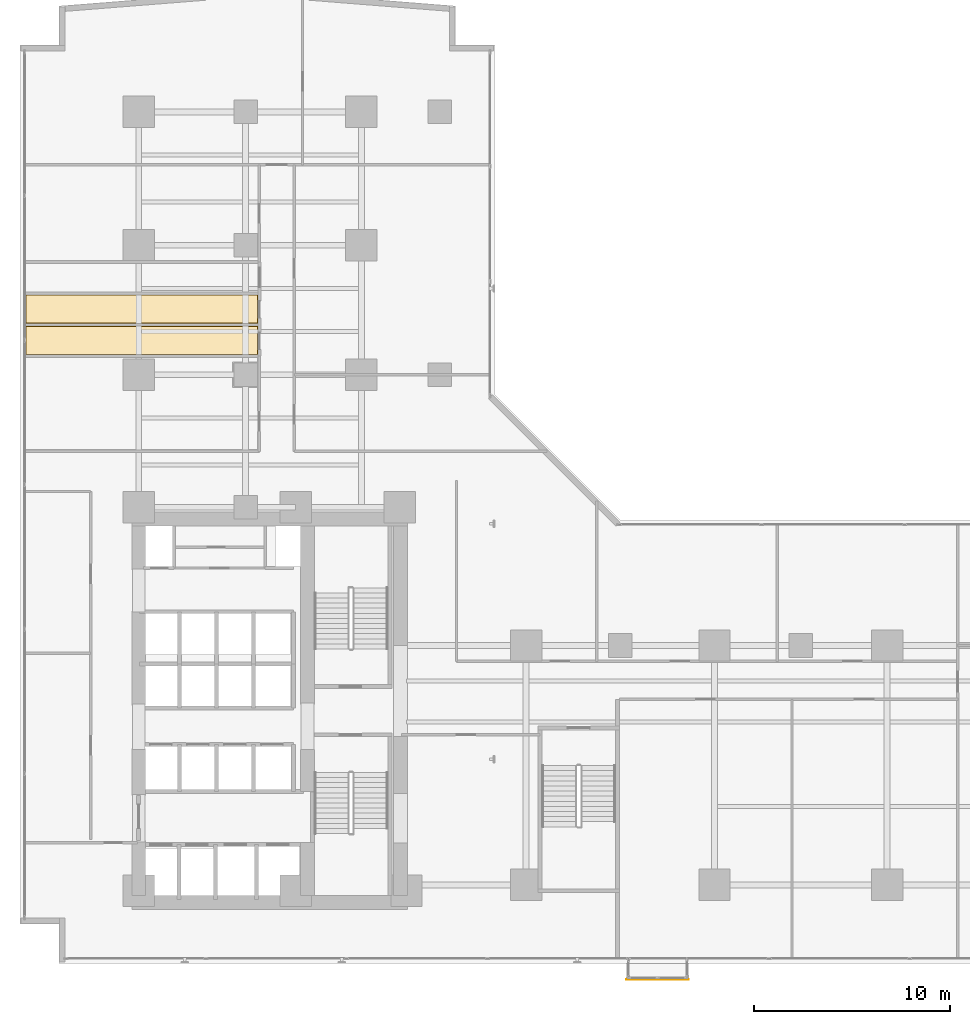
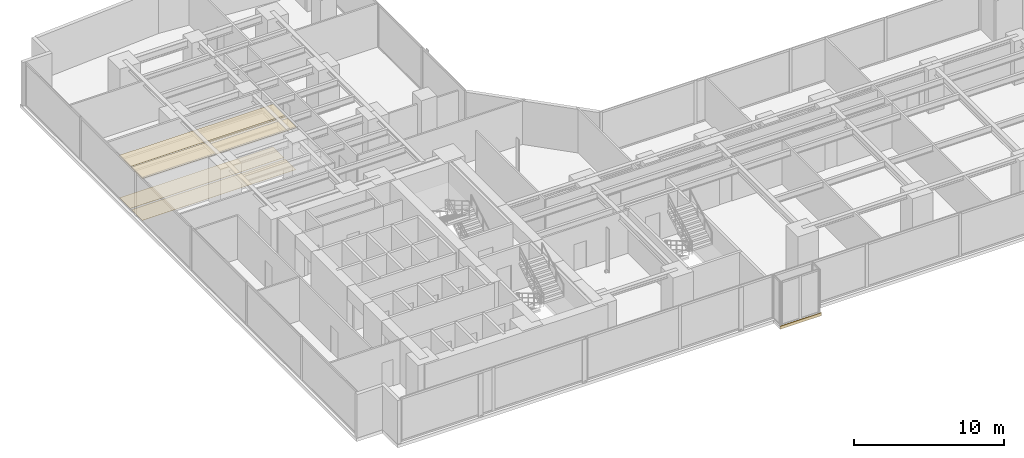
# One storey, part 29 of 30: 5 coverings.
"""IFC4 building model written with IfcOpenShell, lengths in metres."""

from ifc_helpers import new_model, si_unit, direction, frame, origin, origin_2d, place, context, subcontext, project, spatial, polyline, rectangle, outline, extrude, material, layer, layer_set, type_object, element, save


model = new_model("IFC4")

# Units and contexts
model_context = context("Model", 3, precision=1e-05, world=origin(), true_north=direction((0.0, 1.0)))
body_context = subcontext(model_context, "Body", "Model", "MODEL_VIEW")
ifc_project = project(units=[si_unit("LENGTHUNIT", "METRE"), si_unit("AREAUNIT", "SQUARE_METRE"), si_unit("VOLUMEUNIT", "CUBIC_METRE"), si_unit("PLANEANGLEUNIT", "RADIAN"), si_unit("MASSUNIT", "GRAM", prefix="KILO")], contexts=[model_context])

# Site, building, storey
site_placement = place(None, origin())
site = spatial("IfcSite", under=ifc_project, at=site_placement, CompositionType="ELEMENT")
building_placement = place(site_placement, origin())
building = spatial("IfcBuilding", under=site, at=building_placement, Name="Kolvaren Waterfront Exchange", CompositionType="ELEMENT")
storey_placement = place(building_placement, frame((0.0, 0.0, 52.39990234375)))
storey = spatial("IfcBuildingStorey", under=building, at=storey_placement, Name="L13", CompositionType="ELEMENT", Elevation=52.39990234375)

# Coverings
ifc_material_1 = material(Name="Mineral fibre acoustic ceiling tile")
ifc_layer_1 = layer(ifc_material_1, 0.02490234375, Name="Mineral fibre acoustic ceiling tile")
ifc_layer_set_1 = layer_set([ifc_layer_1], Name="Mineral fibre acoustic ceiling tile")
covering_type_1 = type_object("IfcCoveringType", Name="ARC-CEIL-ACOUSTIC-25", PredefinedType="CEILING", material=ifc_layer_set_1)
covering_1_placement = place(storey_placement, frame((0.0, 0.0, 3.425048828125)))
element("IfcCovering", 1, at=covering_1_placement, inside=storey, type_object=covering_type_1, Name="L13 acoustic suspended ceiling 2", PredefinedType="CEILING", context=body_context, shape_type="SweptSolid", body=[
    extrude(outline(polyline([(13.534912109375, 32.195068359375), (13.534912109375, 33.705078125), (1.6650390625, 33.705078125), (1.6650390625, 32.195068359375), (13.534912109375, 32.195068359375)])), origin(), (0.0, 0.0, 1.0), 0.025146484375),
])
covering_2_placement = place(storey_placement, frame((0.0, 0.0, 3.425048828125)))
element("IfcCovering", 2, at=covering_2_placement, inside=storey, type_object=covering_type_1, Name="L13 acoustic suspended ceiling 3", PredefinedType="CEILING", context=body_context, shape_type="SweptSolid", body=[
    extrude(outline(polyline([(13.534912109375, 33.794921875), (13.534912109375, 35.304931640625), (1.6650390625, 35.304931640625), (1.6650390625, 33.794921875), (13.534912109375, 33.794921875)])), origin(), (0.0, 0.0, 1.0), 0.025146484375),
])
ifc_material_2 = material(Name="Anodised bronze fascia aluminium", Category="aluminium")
ifc_layer_2 = layer(ifc_material_2, 0.034912109375, Name="Anodised bronze fascia aluminium")
ifc_layer_set_2 = layer_set([ifc_layer_2], Name="Anodised bronze fascia aluminium")
covering_type_2 = type_object("IfcCoveringType", Name="ARC-CLAD-BRONZE-35", PredefinedType="CLADDING", material=ifc_layer_set_2)
covering_3_placement = place(storey_placement, frame((33.89990234375, 0.3701171875, -0.2197265625), z_axis=(0.0, 0.0, 1.0), x_axis=(1.0, 0.0, 0.0)))
element("IfcCovering", 3, at=covering_3_placement, inside=storey, type_object=covering_type_2, Name="L13 ribbed anodised bronze bay-box fascia", PredefinedType="CLADDING", context=body_context, shape_type="SweptSolid", body=[
    extrude(rectangle(XDim=3.199951171875, YDim=0.034912109375, at=origin_2d()), origin(), (0.0, 0.0, 1.0), 0.239990234375),
])
ifc_material_3 = material(Name="Slip-resistant porcelain tile")
ifc_layer_3 = layer(ifc_material_3, 0.014892578125, Name="Slip-resistant porcelain tile")
ifc_layer_set_3 = layer_set([ifc_layer_3], Name="Slip-resistant porcelain tile")
covering_type_3 = type_object("IfcCoveringType", Name="ARC-FLR-PORC-15", PredefinedType="FLOORING", material=ifc_layer_set_3)
covering_4_placement = place(storey_placement, origin())
element("IfcCovering", 4, at=covering_4_placement, inside=storey, type_object=covering_type_3, Name="L13 floor finish 2", PredefinedType="FLOORING", context=body_context, shape_type="SweptSolid", body=[
    extrude(outline(polyline([(1.699951171875, 33.669921875), (1.699951171875, 32.22998046875), (13.5, 32.22998046875), (13.5, 33.669921875), (1.699951171875, 33.669921875)])), origin(), (0.0, 0.0, 1.0), 0.01513671875),
])
covering_5_placement = place(storey_placement, origin())
element("IfcCovering", 5, at=covering_5_placement, inside=storey, type_object=covering_type_3, Name="L13 floor finish 3", PredefinedType="FLOORING", context=body_context, shape_type="SweptSolid", body=[
    extrude(outline(polyline([(1.699951171875, 35.27001953125), (1.699951171875, 33.830078125), (13.5, 33.830078125), (13.5, 35.27001953125), (1.699951171875, 35.27001953125)])), origin(), (0.0, 0.0, 1.0), 0.01513671875),
])

save(model, "model.ifc")
